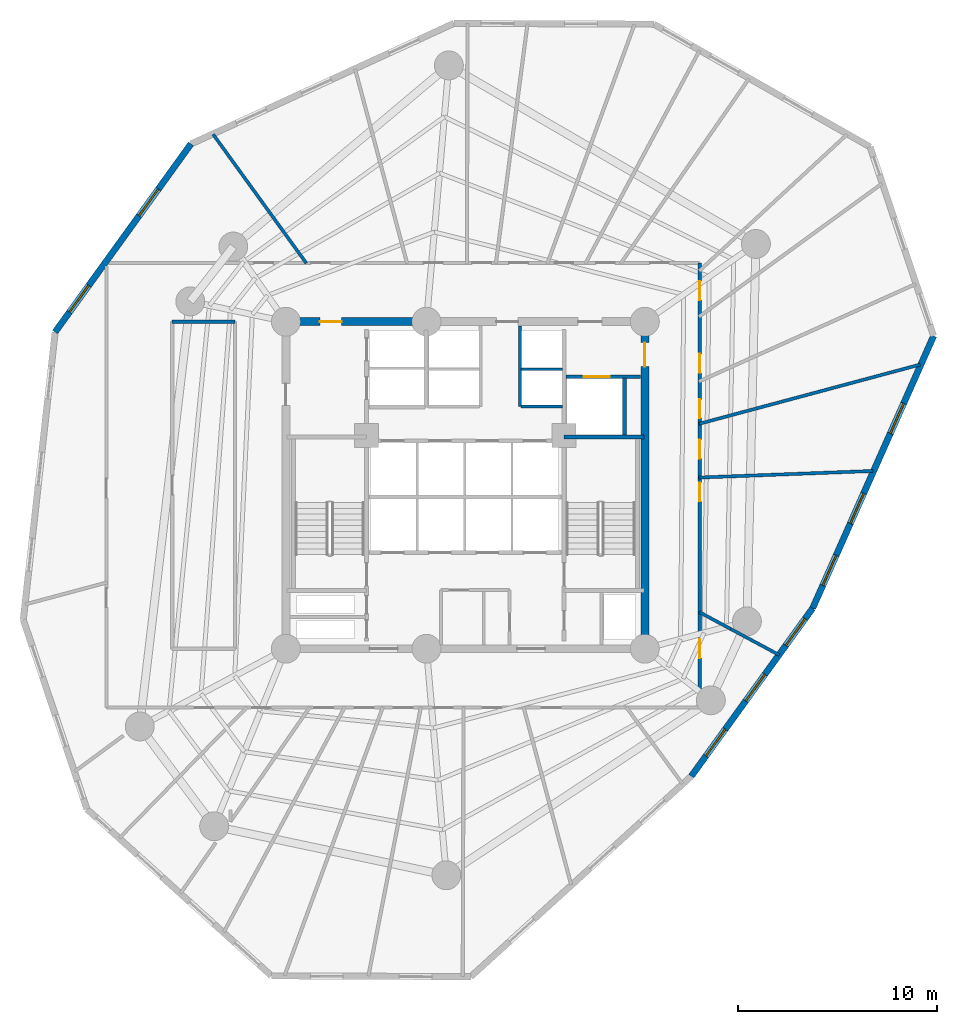
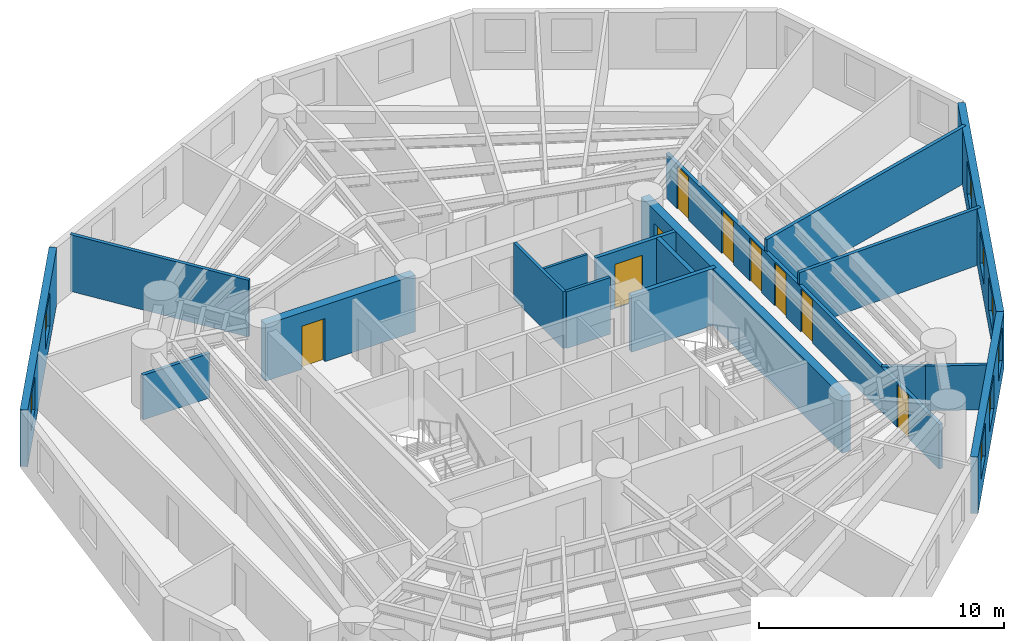
# One storey, part 5 of 8: 18 walls, 9 doors, 8 windows, 17 openings.
"""IFC4 building model written with IfcOpenShell, lengths in metres."""

from ifc_helpers import new_model, si_unit, direction, frame, frame_2d, origin, origin_with_axes, place, context, subcontext, project, spatial, rectangle, extrude, source, transform, mapped, material, layer, layer_set, type_object, element, fill, save


model = new_model("IFC4")

# Units and contexts
model_context = context("Model", 3, precision=1e-05, world=origin(), true_north=direction((0.0, 1.0)))
body_context = subcontext(model_context, "Body", "Model", "MODEL_VIEW")
ifc_project = project(units=[si_unit("LENGTHUNIT", "METRE"), si_unit("AREAUNIT", "SQUARE_METRE"), si_unit("VOLUMEUNIT", "CUBIC_METRE"), si_unit("PLANEANGLEUNIT", "RADIAN"), si_unit("MASSUNIT", "GRAM", prefix="KILO")], contexts=[model_context])

# Site, building, storey
site_placement = place(None, origin())
site = spatial("IfcSite", under=ifc_project, at=site_placement, CompositionType="ELEMENT")
building_placement = place(site_placement, origin())
building = spatial("IfcBuilding", under=site, at=building_placement, Name="Karkom Vertical University and Central Library", CompositionType="ELEMENT")
storey_placement = place(building_placement, frame((0.0, 0.0, 99.25)))
storey = spatial("IfcBuildingStorey", under=building, at=storey_placement, Name="L26", CompositionType="ELEMENT", Elevation=99.25)

# Wall, openings, windows
ifc_material_1 = material(Name="Brick-faced precast concrete C45/55", Category="masonry")
ifc_layer_1 = layer(ifc_material_1, 0.320068359375)
ifc_layer_set_1 = layer_set([ifc_layer_1], Name="Brick-faced precast concrete C45/55")
wall_type_1 = type_object("IfcWallType", Name="ENV-WL-BRK-320", PredefinedType="SOLIDWALL", material=ifc_layer_set_1)
wall_1_placement = place(storey_placement, frame((14.740234375, 43.616943359375, 0.0), z_axis=(0.0, 0.0, 1.0), x_axis=(-0.585528081862, -0.81065212351, 0.0)))
wall_1 = element("IfcWall", 1, at=wall_1_placement, inside=storey, type_object=wall_type_1, Name="Level 26 Brick-Faced Precast Facade Wall 01", PredefinedType="SOLIDWALL", context=body_context, shape_type="SweptSolid", body=[
    extrude(rectangle(XDim=11.638427734375, YDim=0.320068359375, at=frame_2d((5.8193359375, 0.0))), origin(), (0.0, 0.0, 1.0), 2.824951171875),
])
opening_1_placement = place(wall_1_placement, frame((2.798583984375, 0.0, 0.85009765625)))
opening_1 = element("IfcOpeningElement", 2, at=opening_1_placement, cuts=wall_1, Name="Opening WN-06", PredefinedType="OPENING", context=body_context, shape_type="SweptSolid", body=[
    extrude(rectangle(XDim=1.64990234375, YDim=1.64990234375, at=frame_2d((0.824951171875, 0.824951171875))), frame((0.0, 0.169921875, 0.0), z_axis=(0.0, -1.0, 0.0), x_axis=(1.0, 0.0, 0.0)), (0.0, 0.0, 1.0), 0.340087890625),
])
opening_2_placement = place(wall_1_placement, frame((8.751220703125, 0.0, 0.85009765625)))
opening_2 = element("IfcOpeningElement", 3, at=opening_2_placement, cuts=wall_1, Name="Opening WN-06", PredefinedType="OPENING", context=body_context, shape_type="SweptSolid", body=[
    extrude(rectangle(XDim=1.64990234375, YDim=1.64990234375, at=frame_2d((0.824951171875, 0.824951171875))), frame((0.0, 0.169921875, 0.0), z_axis=(0.0, -1.0, 0.0), x_axis=(1.0, 0.0, 0.0)), (0.0, 0.0, 1.0), 0.340087890625),
])
ifc_material_2 = material(Name="Aluminium thermal-break frame with solar-control IGU", Category="aluminium")
window_type = type_object("IfcWindowType", Name="ENV-WIN-WN-06", PartitioningType="SINGLE_PANEL", PredefinedType="WINDOW", material=ifc_material_2)
shared_shape_1 = source(origin_with_axes(), body_context, "Body", "SweptSolid", [
    extrude(rectangle(XDim=1.64990234375, YDim=1.64990234375, at=frame_2d((0.824951171875, 0.824951171875))), frame((0.0, 0.030029296875, 0.0), z_axis=(0.0, -1.0, 0.0), x_axis=(1.0, 0.0, 0.0)), (0.0, 0.0, 1.0), 0.06005859375),
])
window_1_placement = place(opening_1_placement, origin())
window_1 = element("IfcWindow", 4, at=window_1_placement, inside=storey, type_object=window_type, Name="Level 26 Punched Window 1.1", OverallHeight=1.64990234375, OverallWidth=1.64990234375, PartitioningType="SINGLE_PANEL", PredefinedType="WINDOW", context=body_context, shape_type="MappedRepresentation", body=[
    mapped(shared_shape_1, transform((0.0, 0.0, 0.0), scale=1.0)),
])
fill(opening_1, window_1)
window_2_placement = place(opening_2_placement, origin())
window_2 = element("IfcWindow", 5, at=window_2_placement, inside=storey, type_object=window_type, Name="Level 26 Punched Window 1.2", OverallHeight=1.64990234375, OverallWidth=1.64990234375, PartitioningType="SINGLE_PANEL", PredefinedType="WINDOW", context=body_context, shape_type="MappedRepresentation", body=[
    mapped(shared_shape_1, transform((0.0, 0.0, 0.0), scale=1.0)),
])
fill(opening_2, window_2)

wall_2_placement = place(storey_placement, frame((39.832275390625, 11.90576171875, 0.0), z_axis=(0.0, 0.0, 1.0), x_axis=(0.585524008993, 0.810655065298, 0.0)))
wall_2 = element("IfcWall", 6, at=wall_2_placement, inside=storey, type_object=wall_type_1, Name="Level 26 Brick-Faced Precast Facade Wall 07", PredefinedType="SOLIDWALL", context=body_context, shape_type="SweptSolid", body=[
    extrude(rectangle(XDim=10.39111328125, YDim=0.320068359375, at=frame_2d((5.195556640625, 0.0))), origin(), (0.0, 0.0, 1.0), 2.824951171875),
])
opening_3_placement = place(wall_2_placement, frame((1.255126953125, 0.0, 0.85009765625)))
opening_3 = element("IfcOpeningElement", 7, at=opening_3_placement, cuts=wall_2, Name="Opening WN-06", PredefinedType="OPENING", context=body_context, shape_type="SweptSolid", body=[
    extrude(rectangle(XDim=1.64990234375, YDim=1.64990234375, at=frame_2d((0.824951171875, 0.824951171875))), frame((0.0, 0.169921875, 0.0), z_axis=(0.0, -1.0, 0.0), x_axis=(1.0, 0.0, 0.0)), (0.0, 0.0, 1.0), 0.340087890625),
])
opening_4_placement = place(wall_2_placement, frame((4.655517578125, 0.0, 0.85009765625)))
opening_4 = element("IfcOpeningElement", 8, at=opening_4_placement, cuts=wall_2, Name="Opening WN-06", PredefinedType="OPENING", context=body_context, shape_type="SweptSolid", body=[
    extrude(rectangle(XDim=1.64990234375, YDim=1.64990234375, at=frame_2d((0.824951171875, 0.824951171875))), frame((0.0, 0.169921875, 0.0), z_axis=(0.0, -1.0, 0.0), x_axis=(1.0, 0.0, 0.0)), (0.0, 0.0, 1.0), 0.340087890625),
])
opening_5_placement = place(wall_2_placement, frame((8.0908203125, 0.0, 0.85009765625)))
opening_5 = element("IfcOpeningElement", 9, at=opening_5_placement, cuts=wall_2, Name="Opening WN-06", PredefinedType="OPENING", context=body_context, shape_type="SweptSolid", body=[
    extrude(rectangle(XDim=1.64990234375, YDim=1.64990234375, at=frame_2d((0.824951171875, 0.824951171875))), frame((0.0, 0.169921875, 0.0), z_axis=(0.0, -1.0, 0.0), x_axis=(1.0, 0.0, 0.0)), (0.0, 0.0, 1.0), 0.340087890625),
])
window_3_placement = place(opening_3_placement, origin())
window_3 = element("IfcWindow", 10, at=window_3_placement, inside=storey, type_object=window_type, Name="Level 26 Punched Window 7.1", OverallHeight=1.64990234375, OverallWidth=1.64990234375, PartitioningType="SINGLE_PANEL", PredefinedType="WINDOW", context=body_context, shape_type="MappedRepresentation", body=[
    mapped(shared_shape_1, transform((0.0, 0.0, 0.0), scale=1.0)),
])
fill(opening_3, window_3)
window_4_placement = place(opening_4_placement, origin())
window_4 = element("IfcWindow", 11, at=window_4_placement, inside=storey, type_object=window_type, Name="Level 26 Punched Window 7.2", OverallHeight=1.64990234375, OverallWidth=1.64990234375, PartitioningType="SINGLE_PANEL", PredefinedType="WINDOW", context=body_context, shape_type="MappedRepresentation", body=[
    mapped(shared_shape_1, transform((0.0, 0.0, 0.0), scale=1.0)),
])
fill(opening_4, window_4)
window_5_placement = place(opening_5_placement, origin())
window_5 = element("IfcWindow", 12, at=window_5_placement, inside=storey, type_object=window_type, Name="Level 26 Punched Window 7.3", OverallHeight=1.64990234375, OverallWidth=1.64990234375, PartitioningType="SINGLE_PANEL", PredefinedType="WINDOW", context=body_context, shape_type="MappedRepresentation", body=[
    mapped(shared_shape_1, transform((0.0, 0.0, 0.0), scale=1.0)),
])
fill(opening_5, window_5)

wall_3_placement = place(storey_placement, frame((45.91650390625, 20.329345703125, 0.0), z_axis=(0.0, 0.0, 1.0), x_axis=(0.406068755347, 0.913842527972, 0.0)))
wall_3 = element("IfcWall", 13, at=wall_3_placement, inside=storey, type_object=wall_type_1, Name="Level 26 Brick-Faced Precast Facade Wall 08", PredefinedType="SOLIDWALL", context=body_context, shape_type="SweptSolid", body=[
    extrude(rectangle(XDim=14.94775390625, YDim=0.320068359375, at=frame_2d((7.473876953125, 0.0))), origin(), (0.0, 0.0, 1.0), 2.824951171875),
])
opening_6_placement = place(wall_3_placement, frame((1.25634765625, 0.0, 0.85009765625)))
opening_6 = element("IfcOpeningElement", 14, at=opening_6_placement, cuts=wall_3, Name="Opening WN-06", PredefinedType="OPENING", context=body_context, shape_type="SweptSolid", body=[
    extrude(rectangle(XDim=1.64990234375, YDim=1.64990234375, at=frame_2d((0.824951171875, 0.824951171875))), frame((0.0, 0.169921875, 0.0), z_axis=(0.0, -1.0, 0.0), x_axis=(1.0, 0.0, 0.0)), (0.0, 0.0, 1.0), 0.340087890625),
])
opening_7_placement = place(wall_3_placement, frame((4.65869140625, 0.0, 0.85009765625)))
opening_7 = element("IfcOpeningElement", 15, at=opening_7_placement, cuts=wall_3, Name="Opening WN-06", PredefinedType="OPENING", context=body_context, shape_type="SweptSolid", body=[
    extrude(rectangle(XDim=1.64990234375, YDim=1.64990234375, at=frame_2d((0.824951171875, 0.824951171875))), frame((0.0, 0.169921875, 0.0), z_axis=(0.0, -1.0, 0.0), x_axis=(1.0, 0.0, 0.0)), (0.0, 0.0, 1.0), 0.340087890625),
])
opening_8_placement = place(wall_3_placement, frame((9.593994140625, 0.0, 0.85009765625)))
opening_8 = element("IfcOpeningElement", 16, at=opening_8_placement, cuts=wall_3, Name="Opening WN-06", PredefinedType="OPENING", context=body_context, shape_type="SweptSolid", body=[
    extrude(rectangle(XDim=1.64990234375, YDim=1.64990234375, at=frame_2d((0.824951171875, 0.824951171875))), frame((0.0, 0.169921875, 0.0), z_axis=(0.0, -1.0, 0.0), x_axis=(1.0, 0.0, 0.0)), (0.0, 0.0, 1.0), 0.340087890625),
])
window_6_placement = place(opening_6_placement, origin())
window_6 = element("IfcWindow", 17, at=window_6_placement, inside=storey, type_object=window_type, Name="Level 26 Punched Window 8.1", OverallHeight=1.64990234375, OverallWidth=1.64990234375, PartitioningType="SINGLE_PANEL", PredefinedType="WINDOW", context=body_context, shape_type="MappedRepresentation", body=[
    mapped(shared_shape_1, transform((0.0, 0.0, 0.0), scale=1.0)),
])
fill(opening_6, window_6)
window_7_placement = place(opening_7_placement, origin())
window_7 = element("IfcWindow", 18, at=window_7_placement, inside=storey, type_object=window_type, Name="Level 26 Punched Window 8.2", OverallHeight=1.64990234375, OverallWidth=1.64990234375, PartitioningType="SINGLE_PANEL", PredefinedType="WINDOW", context=body_context, shape_type="MappedRepresentation", body=[
    mapped(shared_shape_1, transform((0.0, 0.0, 0.0), scale=1.0)),
])
fill(opening_7, window_7)
window_8_placement = place(opening_8_placement, origin())
window_8 = element("IfcWindow", 19, at=window_8_placement, inside=storey, type_object=window_type, Name="Level 26 Punched Window 8.3", OverallHeight=1.64990234375, OverallWidth=1.64990234375, PartitioningType="SINGLE_PANEL", PredefinedType="WINDOW", context=body_context, shape_type="MappedRepresentation", body=[
    mapped(shared_shape_1, transform((0.0, 0.0, 0.0), scale=1.0)),
])
fill(opening_8, window_8)

# Wall, openings, doors
ifc_material_3 = material(Name="Insulated metal-stud drywall 160mm", Category="gypsum")
ifc_layer_2 = layer(ifc_material_3, 0.159912109375)
ifc_layer_set_2 = layer_set([ifc_layer_2], Name="Insulated metal-stud drywall 160mm")
wall_type_2 = type_object("IfcWallType", Name="INT-WL-COR-160", PredefinedType="PARTITIONING", material=ifc_layer_set_2)
wall_4_placement = place(storey_placement, frame((40.25, 37.64990234375, 0.0), z_axis=(0.0, 0.0, 1.0), x_axis=(0.0, -1.0, 0.0)))
wall_4 = element("IfcWall", 20, at=wall_4_placement, inside=storey, type_object=wall_type_2, Name="Level 26 Interior Partition Wall L26-CORW-CW-004", PredefinedType="PARTITIONING", context=body_context, shape_type="SweptSolid", body=[
    extrude(rectangle(XDim=22.2998046875, YDim=0.159912109375, at=frame_2d((11.14990234375, 0.0))), origin(), (0.0, 0.0, 1.0), 2.22509765625),
])
opening_9_placement = place(wall_4_placement, frame((18.86572265625, 0.0, 0.0)))
opening_9 = element("IfcOpeningElement", 21, at=opening_9_placement, cuts=wall_4, Name="Opening D-RM1", PredefinedType="OPENING", context=body_context, shape_type="SweptSolid", body=[
    extrude(rectangle(XDim=0.949951171875, YDim=2.14990234375, at=frame_2d((0.47509765625, 1.074951171875))), frame((0.0, 0.08984375, 0.0), z_axis=(0.0, -1.0, 0.0), x_axis=(1.0, 0.0, 0.0)), (0.0, 0.0, 1.0), 0.179931640625),
])
opening_10_placement = place(wall_4_placement, frame((11.014892578125, 0.0, 0.0)))
opening_10 = element("IfcOpeningElement", 22, at=opening_10_placement, cuts=wall_4, Name="Opening D-RM1", PredefinedType="OPENING", context=body_context, shape_type="SweptSolid", body=[
    extrude(rectangle(XDim=0.949951171875, YDim=2.14990234375, at=frame_2d((0.47509765625, 1.074951171875))), frame((0.0, 0.08984375, 0.0), z_axis=(0.0, -1.0, 0.0), x_axis=(1.0, 0.0, 0.0)), (0.0, 0.0, 1.0), 0.179931640625),
])
opening_11_placement = place(wall_4_placement, frame((8.866455078125, 0.0, 0.0)))
opening_11 = element("IfcOpeningElement", 23, at=opening_11_placement, cuts=wall_4, Name="Opening D-RM1", PredefinedType="OPENING", context=body_context, shape_type="SweptSolid", body=[
    extrude(rectangle(XDim=0.949951171875, YDim=2.14990234375, at=frame_2d((0.47509765625, 1.074951171875))), frame((0.0, 0.08984375, 0.0), z_axis=(0.0, -1.0, 0.0), x_axis=(1.0, 0.0, 0.0)), (0.0, 0.0, 1.0), 0.179931640625),
])
opening_12_placement = place(wall_4_placement, frame((6.840087890625, 0.0, 0.0)))
opening_12 = element("IfcOpeningElement", 24, at=opening_12_placement, cuts=wall_4, Name="Opening D-RM1", PredefinedType="OPENING", context=body_context, shape_type="SweptSolid", body=[
    extrude(rectangle(XDim=0.949951171875, YDim=2.14990234375, at=frame_2d((0.47509765625, 1.074951171875))), frame((0.0, 0.08984375, 0.0), z_axis=(0.0, -1.0, 0.0), x_axis=(1.0, 0.0, 0.0)), (0.0, 0.0, 1.0), 0.179931640625),
])
opening_13_placement = place(wall_4_placement, frame((4.56005859375, 0.0, 0.0)))
opening_13 = element("IfcOpeningElement", 25, at=opening_13_placement, cuts=wall_4, Name="Opening D-RM1", PredefinedType="OPENING", context=body_context, shape_type="SweptSolid", body=[
    extrude(rectangle(XDim=0.949951171875, YDim=2.14990234375, at=frame_2d((0.47509765625, 1.074951171875))), frame((0.0, 0.08984375, 0.0), z_axis=(0.0, -1.0, 0.0), x_axis=(1.0, 0.0, 0.0)), (0.0, 0.0, 1.0), 0.179931640625),
])
opening_14_placement = place(wall_4_placement, frame((0.9150390625, 0.0, 0.0)))
opening_14 = element("IfcOpeningElement", 26, at=opening_14_placement, cuts=wall_4, Name="Opening D-RM1", PredefinedType="OPENING", context=body_context, shape_type="SweptSolid", body=[
    extrude(rectangle(XDim=0.949951171875, YDim=2.14990234375, at=frame_2d((0.47509765625, 1.074951171875))), frame((0.0, 0.08984375, 0.0), z_axis=(0.0, -1.0, 0.0), x_axis=(1.0, 0.0, 0.0)), (0.0, 0.0, 1.0), 0.179931640625),
])
ifc_material_4 = material(Name="Solid-core oak veneer door", Category="wood")
door_type_1 = type_object("IfcDoorType", Name="INT-DR-RM1", OperationType="NOTDEFINED", PredefinedType="DOOR", material=ifc_material_4)
shared_shape_2 = source(origin_with_axes(), body_context, "Body", "SweptSolid", [
    extrude(rectangle(XDim=0.949951171875, YDim=2.14990234375, at=frame_2d((0.47509765625, 1.074951171875))), frame((0.0, 0.02490234375, 0.0), z_axis=(0.0, -1.0, 0.0), x_axis=(1.0, 0.0, 0.0)), (0.0, 0.0, 1.0), 0.050048828125),
])
door_1_placement = place(opening_9_placement, origin())
door_1 = element("IfcDoor", 27, at=door_1_placement, inside=storey, type_object=door_type_1, Name="Level 26 Room Entry Door 100", OperationType="SINGLE_SWING_LEFT", OverallHeight=2.14990234375, OverallWidth=0.949951171875, PredefinedType="DOOR", context=body_context, shape_type="MappedRepresentation", body=[
    mapped(shared_shape_2, transform((0.0, 0.0, 0.0), scale=1.0)),
])
fill(opening_9, door_1)
door_2_placement = place(opening_10_placement, origin())
door_2 = element("IfcDoor", 28, at=door_2_placement, inside=storey, type_object=door_type_1, Name="Level 26 Room Entry Door 110", OperationType="SINGLE_SWING_RIGHT", OverallHeight=2.14990234375, OverallWidth=0.949951171875, PredefinedType="DOOR", context=body_context, shape_type="MappedRepresentation", body=[
    mapped(shared_shape_2, transform((0.0, 0.0, 0.0), scale=1.0)),
])
fill(opening_10, door_2)
door_3_placement = place(opening_11_placement, origin())
door_3 = element("IfcDoor", 29, at=door_3_placement, inside=storey, type_object=door_type_1, Name="Level 26 Room Entry Door 120", OperationType="SINGLE_SWING_LEFT", OverallHeight=2.14990234375, OverallWidth=0.949951171875, PredefinedType="DOOR", context=body_context, shape_type="MappedRepresentation", body=[
    mapped(shared_shape_2, transform((0.0, 0.0, 0.0), scale=1.0)),
])
fill(opening_11, door_3)
door_4_placement = place(opening_12_placement, origin())
door_4 = element("IfcDoor", 30, at=door_4_placement, inside=storey, type_object=door_type_1, Name="Level 26 Room Entry Door 130", OperationType="SINGLE_SWING_RIGHT", OverallHeight=2.14990234375, OverallWidth=0.949951171875, PredefinedType="DOOR", context=body_context, shape_type="MappedRepresentation", body=[
    mapped(shared_shape_2, transform((0.0, 0.0, 0.0), scale=1.0)),
])
fill(opening_12, door_4)
door_5_placement = place(opening_13_placement, origin())
door_5 = element("IfcDoor", 31, at=door_5_placement, inside=storey, type_object=door_type_1, Name="Level 26 Room Entry Door 140", OperationType="SINGLE_SWING_LEFT", OverallHeight=2.14990234375, OverallWidth=0.949951171875, PredefinedType="DOOR", context=body_context, shape_type="MappedRepresentation", body=[
    mapped(shared_shape_2, transform((0.0, 0.0, 0.0), scale=1.0)),
])
fill(opening_13, door_5)
door_6_placement = place(opening_14_placement, origin())
door_6 = element("IfcDoor", 32, at=door_6_placement, inside=storey, type_object=door_type_1, Name="Level 26 Room Entry Door 150", OperationType="SINGLE_SWING_RIGHT", OverallHeight=2.14990234375, OverallWidth=0.949951171875, PredefinedType="DOOR", context=body_context, shape_type="MappedRepresentation", body=[
    mapped(shared_shape_2, transform((0.0, 0.0, 0.0), scale=1.0)),
])
fill(opening_14, door_6)

# Walls
wall_5_placement = place(storey_placement, frame((40.220947265625, 29.579345703125, 0.0), z_axis=(0.0, 0.0, 1.0), x_axis=(0.965907490829, 0.258887464278, 0.0)))
element("IfcWall", 33, at=wall_5_placement, inside=storey, type_object=wall_type_2, Name="Level 26 Interior Partition Wall L26-PW-016", PredefinedType="PARTITIONING", context=body_context, shape_type="SweptSolid", body=[
    extrude(rectangle(XDim=11.473876953125, YDim=0.159912109375, at=frame_2d((5.73681640625, 0.0))), origin(), (0.0, 0.0, 1.0), 2.824951171875),
])
wall_6_placement = place(storey_placement, frame((40.205078125, 26.883544921875, 0.0), z_axis=(0.0, 0.0, 1.0), x_axis=(0.999281776552, 0.037893680894, 0.0)))
element("IfcWall", 34, at=wall_6_placement, inside=storey, type_object=wall_type_2, Name="Level 26 Interior Partition Wall L26-PW-015", PredefinedType="PARTITIONING", context=body_context, shape_type="SweptSolid", body=[
    extrude(rectangle(XDim=8.742919921875, YDim=0.159912109375, at=frame_2d((4.37158203125, 0.0))), origin(), (0.0, 0.0, 1.0), 2.824951171875),
])
wall_7_placement = place(storey_placement, frame((20.530517578125, 37.625732421875, 0.0), z_axis=(0.0, 0.0, 1.0), x_axis=(-0.585890053076, 0.810390551343, 0.0)))
element("IfcWall", 35, at=wall_7_placement, inside=storey, type_object=wall_type_2, Name="Level 26 Interior Partition Wall L26-PW-027", PredefinedType="PARTITIONING", context=body_context, shape_type="SweptSolid", body=[
    extrude(rectangle(XDim=7.986572265625, YDim=0.159912109375, at=frame_2d((3.9931640625, 0.0))), origin(), (0.0, 0.0, 1.0), 2.824951171875),
])
wall_8_placement = place(storey_placement, frame((16.949951171875, 34.699951171875, 0.0), z_axis=(0.0, 0.0, 1.0), x_axis=(-1.0, 0.0, 0.0)))
element("IfcWall", 36, at=wall_8_placement, inside=storey, type_object=wall_type_2, Name="Level 26 Interior Partition Wall L26-CORW-CW-005", PredefinedType="PARTITIONING", context=body_context, shape_type="SweptSolid", body=[
    extrude(rectangle(XDim=3.14990234375, YDim=0.159912109375, at=frame_2d((1.574951171875, 0.0))), origin(), (0.0, 0.0, 1.0), 2.22509765625),
])
wall_9_placement = place(storey_placement, frame((40.2236328125, 20.1416015625, 0.0), z_axis=(0.0, 0.0, 1.0), x_axis=(0.881136678739, -0.472861664106, 0.0)))
element("IfcWall", 37, at=wall_9_placement, inside=storey, type_object=wall_type_2, Name="Level 26 Interior Partition Wall L26-PW-013", PredefinedType="PARTITIONING", context=body_context, shape_type="SweptSolid", body=[
    extrude(rectangle(XDim=1.787841796875, YDim=0.159912109375, at=frame_2d((0.89404296875, 0.0))), origin(), (0.0, 0.0, 1.0), 2.22509765625),
])
wall_10_placement = place(storey_placement, frame((41.803466796875, 19.2939453125, 0.0), z_axis=(0.0, 0.0, 1.0), x_axis=(0.881165658259, -0.472807659313, 0.0)))
element("IfcWall", 38, at=wall_10_placement, inside=storey, type_object=wall_type_2, Name="Level 26 Interior Partition Wall L26-PW-014", PredefinedType="PARTITIONING", context=body_context, shape_type="SweptSolid", body=[
    extrude(rectangle(XDim=2.761474609375, YDim=0.159912109375, at=frame_2d((1.380859375, 0.0))), origin(), (0.0, 0.0, 1.0), 2.22509765625),
])
ifc_material_5 = material(Name="Moisture-resistant drywall 120mm", Category="gypsum")
ifc_layer_3 = layer(ifc_material_5, 0.1201171875)
ifc_layer_set_3 = layer_set([ifc_layer_3], Name="Moisture-resistant drywall 120mm")
wall_type_3 = type_object("IfcWallType", Name="INT-WL-INT-120H", PredefinedType="PARTITIONING", material=ifc_layer_set_3)
wall_11_placement = place(storey_placement, frame((31.300048828125, 32.320068359375, 0.0), z_axis=(0.0, 0.0, 1.0), x_axis=(1.0, 0.0, 0.0)))
element("IfcWall", 39, at=wall_11_placement, inside=storey, type_object=wall_type_3, Name="Level 26 Interior Partition Wall L26-CW-PH-ME", PredefinedType="PARTITIONING", context=body_context, shape_type="SweptSolid", body=[
    extrude(rectangle(XDim=2.074951171875, YDim=0.1201171875, at=frame_2d((1.03759765625, 0.0))), origin(), (0.0, 0.0, 1.0), 2.824951171875),
])
ifc_material_6 = material(Name="Metal-stud gypsum partition 140mm", Category="gypsum")
ifc_layer_4 = layer(ifc_material_6, 0.139892578125)
ifc_layer_set_4 = layer_set([ifc_layer_4], Name="Metal-stud gypsum partition 140mm")
wall_type_4 = type_object("IfcWallType", Name="INT-WL-SUB-140H", PredefinedType="PARTITIONING", material=ifc_layer_set_4)
wall_12_placement = place(storey_placement, frame((31.239990234375, 30.449951171875, 0.0), z_axis=(0.0, 0.0, 1.0), x_axis=(0.0, 1.0, 0.0)))
element("IfcWall", 40, at=wall_12_placement, inside=storey, type_object=wall_type_4, Name="Level 26 Interior Partition Wall L26-CW-PH-E", PredefinedType="PARTITIONING", context=body_context, shape_type="SweptSolid", body=[
    extrude(rectangle(XDim=4.04296875, YDim=0.139892578125, at=frame_2d((2.021484375, 0.0))), origin(), (0.0, 0.0, 1.0), 2.824951171875),
])
wall_13_placement = place(storey_placement, frame((31.300048828125, 30.449951171875, 0.0), z_axis=(0.0, 0.0, 1.0), x_axis=(1.0, 0.0, 0.0)))
element("IfcWall", 41, at=wall_13_placement, inside=storey, type_object=wall_type_4, Name="Level 26 Interior Partition Wall L26-CW-PH-S2", PredefinedType="PARTITIONING", context=body_context, shape_type="SweptSolid", body=[
    extrude(rectangle(XDim=2.074951171875, YDim=0.139892578125, at=frame_2d((1.03759765625, 0.0))), origin(), (0.0, 0.0, 1.0), 2.824951171875),
])

# Wall, opening, door
ifc_material_7 = material(Name="Twin-stud acoustic drywall 180mm", Category="gypsum")
ifc_layer_5 = layer(ifc_material_7, 0.179931640625)
ifc_layer_set_5 = layer_set([ifc_layer_5], Name="Twin-stud acoustic drywall 180mm")
wall_type_5 = type_object("IfcWallType", Name="INT-WL-TEN-180F", PredefinedType="PARTITIONING", material=ifc_layer_set_5)
wall_14_placement = place(storey_placement, frame((33.534912109375, 31.949951171875, 0.0), z_axis=(0.0, 0.0, 1.0), x_axis=(1.0, 0.0, 0.0)))
wall_14 = element("IfcWall", 42, at=wall_14_placement, inside=storey, type_object=wall_type_5, Name="Level 26 Interior Partition Wall L26-CW-SVL-N", PredefinedType="PARTITIONING", context=body_context, shape_type="SweptSolid", body=[
    extrude(rectangle(XDim=3.7587890625, YDim=0.179931640625, at=frame_2d((1.87939453125, 0.0))), origin(), (0.0, 0.0, 1.0), 2.824951171875),
])
opening_15_placement = place(wall_14_placement, frame((0.89990234375, 0.0, 0.0)))
opening_15 = element("IfcOpeningElement", 43, at=opening_15_placement, cuts=wall_14, Name="Opening LD-SV1", PredefinedType="OPENING", context=body_context, shape_type="SweptSolid", body=[
    extrude(rectangle(XDim=1.300048828125, YDim=2.199951171875, at=frame_2d((0.64990234375, 1.10009765625))), frame((0.0, 0.10009765625, 0.0), z_axis=(0.0, -1.0, 0.0), x_axis=(1.0, 0.0, 0.0)), (0.0, 0.0, 1.0), 0.199951171875),
])
ifc_material_8 = material(Name="Brushed stainless-steel landing door", Category="steel")
door_type_2 = type_object("IfcDoorType", Name="INT-DR-LD-SV1", OperationType="SLIDING_TO_LEFT", PredefinedType="DOOR", material=ifc_material_8)
shared_shape_3 = source(origin_with_axes(), body_context, "Body", "SweptSolid", [
    extrude(rectangle(XDim=1.300048828125, YDim=2.199951171875, at=frame_2d((0.64990234375, 1.10009765625))), frame((0.0, 0.02490234375, 0.0), z_axis=(0.0, -1.0, 0.0), x_axis=(1.0, 0.0, 0.0)), (0.0, 0.0, 1.0), 0.050048828125),
])
door_7_placement = place(opening_15_placement, origin())
door_7 = element("IfcDoor", 44, at=door_7_placement, inside=storey, type_object=door_type_2, Name="Level 26 Service Lift Landing Door LD-SV1", OperationType="SLIDING_TO_LEFT", OverallHeight=2.199951171875, OverallWidth=1.300048828125, PredefinedType="DOOR", context=body_context, shape_type="MappedRepresentation", body=[
    mapped(shared_shape_3, transform((0.0, 0.0, 0.0), scale=1.0)),
])
fill(opening_15, door_7)

ifc_material_9 = material(Name="Concrete C50/60", Category="concrete")
ifc_layer_6 = layer(ifc_material_9, 0.39990234375)
ifc_layer_set_6 = layer_set([ifc_layer_6], Name="Concrete C50/60")
wall_type_6 = type_object("IfcWallType", Name="STR-WL-CW-400", PredefinedType="SHEAR", material=ifc_layer_set_6)
wall_15_placement = place(storey_placement, frame((37.5, 18.300048828125, 0.0), z_axis=(0.0, 0.0, 1.0), x_axis=(0.0, 1.0, 0.0)))
wall_15 = element("IfcWall", 45, at=wall_15_placement, inside=storey, type_object=wall_type_6, Name="Level 26 Central Core Shear Wall EW", PredefinedType="SHEAR", context=body_context, shape_type="SweptSolid", body=[
    extrude(rectangle(XDim=16.39990234375, YDim=0.39990234375, at=frame_2d((8.199951171875, 0.0))), origin(), (0.0, 0.0, 1.0), 2.824951171875),
])
opening_16_placement = place(wall_15_placement, frame((14.14990234375, 0.0, 0.0)))
opening_16 = element("IfcOpeningElement", 46, at=opening_16_placement, cuts=wall_15, Name="Opening FD-SUB1", PredefinedType="OPENING", context=body_context, shape_type="SweptSolid", body=[
    extrude(rectangle(XDim=1.199951171875, YDim=2.14990234375, at=frame_2d((0.60009765625, 1.074951171875))), frame((0.0, 0.2099609375, 0.0), z_axis=(0.0, -1.0, 0.0), x_axis=(1.0, 0.0, 0.0)), (0.0, 0.0, 1.0), 0.419921875),
])
ifc_material_10 = material(Name="Painted steel fire door", Category="steel")
door_type_3 = type_object("IfcDoorType", Name="INT-DR-SUB1", OperationType="NOTDEFINED", PredefinedType="DOOR", material=ifc_material_10)
shared_shape_4 = source(origin_with_axes(), body_context, "Body", "SweptSolid", [
    extrude(rectangle(XDim=1.199951171875, YDim=2.14990234375, at=frame_2d((0.60009765625, 1.074951171875))), frame((0.0, 0.02490234375, 0.0), z_axis=(0.0, -1.0, 0.0), x_axis=(1.0, 0.0, 0.0)), (0.0, 0.0, 1.0), 0.050048828125),
])
door_8_placement = place(opening_16_placement, origin())
door_8 = element("IfcDoor", 47, at=door_8_placement, inside=storey, type_object=door_type_3, Name="Level 26 East Corridor Service Lobby Door", OperationType="SINGLE_SWING_LEFT", OverallHeight=2.14990234375, OverallWidth=1.199951171875, PredefinedType="DOOR", context=body_context, shape_type="MappedRepresentation", body=[
    mapped(shared_shape_4, transform((0.0, 0.0, 0.0), scale=1.0)),
])
fill(opening_16, door_8)

wall_16_placement = place(storey_placement, frame((26.550048828125, 34.699951171875, 0.0), z_axis=(0.0, 0.0, 1.0), x_axis=(-1.0, 0.0, 0.0)))
wall_16 = element("IfcWall", 48, at=wall_16_placement, inside=storey, type_object=wall_type_6, Name="Level 26 Central Core Shear Wall NW2", PredefinedType="SHEAR", context=body_context, shape_type="SweptSolid", body=[
    extrude(rectangle(XDim=7.050048828125, YDim=0.39990234375, at=frame_2d((3.52490234375, 0.0))), origin(), (0.0, 0.0, 1.0), 2.824951171875),
])
opening_17_placement = place(wall_16_placement, frame((4.25, 0.0, 0.0)))
opening_17 = element("IfcOpeningElement", 49, at=opening_17_placement, cuts=wall_16, Name="Opening FD-FFL", PredefinedType="OPENING", context=body_context, shape_type="SweptSolid", body=[
    extrude(rectangle(XDim=1.10009765625, YDim=2.14990234375, at=frame_2d((0.550048828125, 1.074951171875))), frame((0.0, 0.2099609375, 0.0), z_axis=(0.0, -1.0, 0.0), x_axis=(1.0, 0.0, 0.0)), (0.0, 0.0, 1.0), 0.419921875),
])
ifc_material_11 = material(Name="Painted steel smoke-seal fire door", Category="steel")
door_type_4 = type_object("IfcDoorType", Name="INT-DR-FFL", OperationType="NOTDEFINED", PredefinedType="DOOR", material=ifc_material_11)
shared_shape_5 = source(origin_with_axes(), body_context, "Body", "SweptSolid", [
    extrude(rectangle(XDim=1.10009765625, YDim=2.14990234375, at=frame_2d((0.550048828125, 1.074951171875))), frame((0.0, 0.02490234375, 0.0), z_axis=(0.0, -1.0, 0.0), x_axis=(1.0, 0.0, 0.0)), (0.0, 0.0, 1.0), 0.050048828125),
])
door_9_placement = place(opening_17_placement, origin())
door_9 = element("IfcDoor", 50, at=door_9_placement, inside=storey, type_object=door_type_4, Name="Level 26 Firefighting Lobby Door", OperationType="SINGLE_SWING_LEFT", OverallHeight=2.14990234375, OverallWidth=1.10009765625, PredefinedType="DOOR", context=body_context, shape_type="MappedRepresentation", body=[
    mapped(shared_shape_5, transform((0.0, 0.0, 0.0), scale=1.0)),
])
fill(opening_17, door_9)

# Walls
ifc_material_12 = material(Name="Concrete C45/55", Category="concrete")
ifc_layer_7 = layer(ifc_material_12, 0.199951171875)
ifc_layer_set_7 = layer_set([ifc_layer_7], Name="Concrete C45/55")
wall_type_7 = type_object("IfcWallType", Name="STR-WL-ST-200", PredefinedType="SHEAR", material=ifc_layer_set_7)
wall_17_placement = place(storey_placement, frame((33.455078125, 28.925048828125, 0.0), z_axis=(0.0, 0.0, 1.0), x_axis=(1.0, 0.0, 0.0)))
element("IfcWall", 51, at=wall_17_placement, inside=storey, type_object=wall_type_7, Name="Level 26 Core Shaft Wall L26-CW-ST2-N", PredefinedType="SHEAR", context=body_context, shape_type="SweptSolid", body=[
    extrude(rectangle(XDim=3.994873046875, YDim=0.199951171875, at=frame_2d((1.99755859375, 0.0))), origin(), (0.0, 0.0, 1.0), 2.824951171875),
])
wall_18_placement = place(storey_placement, frame((36.47998046875, 29.02001953125, 0.0), z_axis=(0.0, 0.0, 1.0), x_axis=(0.0, 1.0, 0.0)))
element("IfcWall", 52, at=wall_18_placement, inside=storey, type_object=wall_type_7, Name="Level 26 Core Shaft Wall L26-CW-SVL-E", PredefinedType="SHEAR", context=body_context, shape_type="SweptSolid", body=[
    extrude(rectangle(XDim=2.85986328125, YDim=0.199951171875, at=frame_2d((1.429931640625, 0.0))), origin(), (0.0, 0.0, 1.0), 2.824951171875),
])

save(model, "model.ifc")
